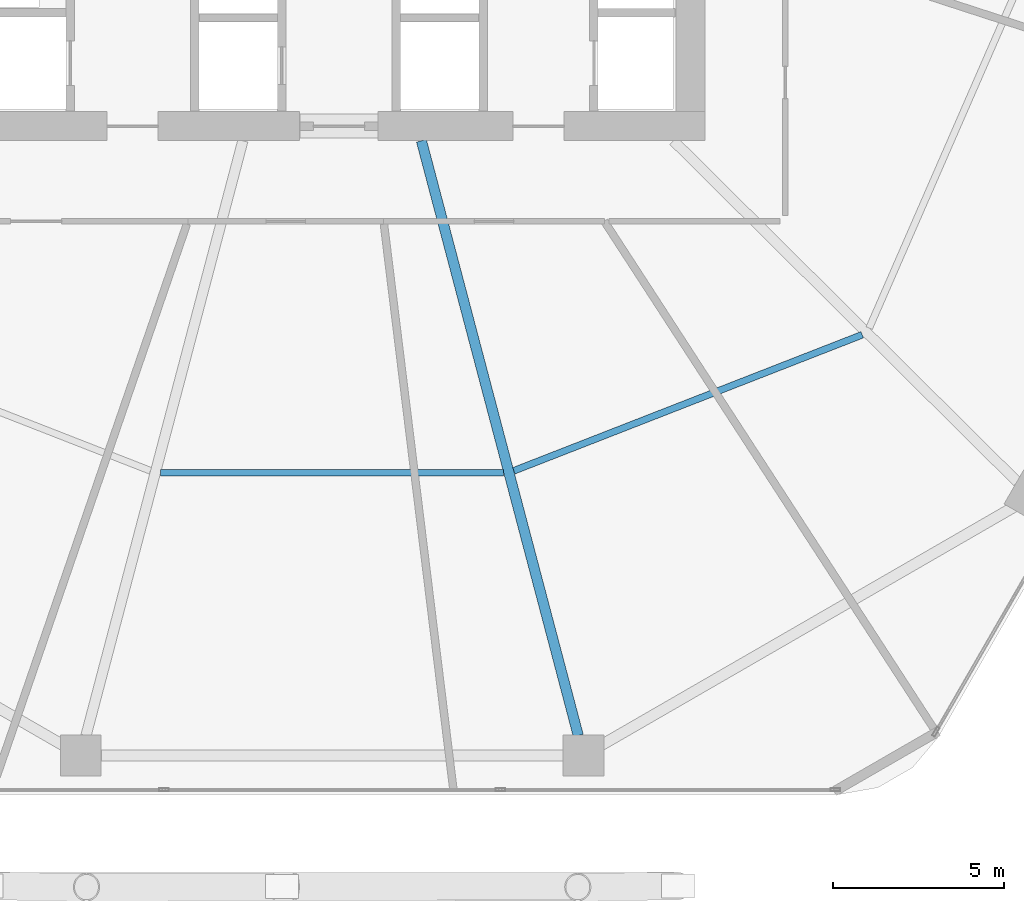
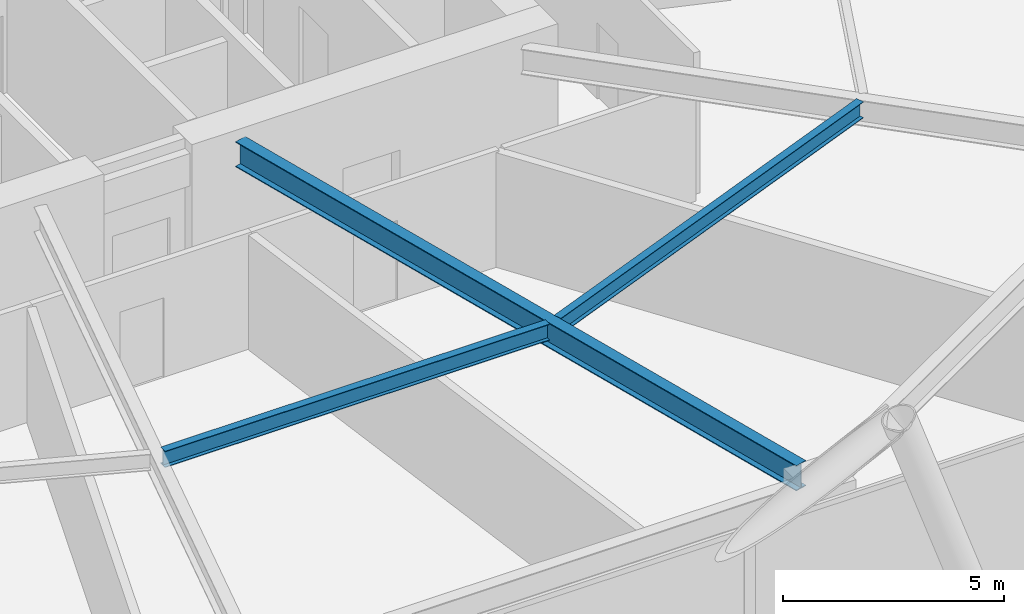
# One storey, part 8 of 28: 3 beams.
"""IFC4 building model written with IfcOpenShell, lengths in metres."""

from ifc_helpers import new_model, si_unit, direction, frame, origin, origin_2d, place, context, subcontext, project, spatial, i_section, extrude, material, material_profile, profile_set, type_object, element, save


model = new_model("IFC4")

# Units and contexts
model_context = context("Model", 3, precision=1e-05, world=origin(), true_north=direction((0.0, 1.0)))
body_context = subcontext(model_context, "Body", "Model", "MODEL_VIEW")
ifc_project = project(units=[si_unit("LENGTHUNIT", "METRE"), si_unit("AREAUNIT", "SQUARE_METRE"), si_unit("VOLUMEUNIT", "CUBIC_METRE"), si_unit("PLANEANGLEUNIT", "RADIAN"), si_unit("MASSUNIT", "GRAM", prefix="KILO")], contexts=[model_context])

# Site, building, storey
site_placement = place(None, origin())
site = spatial("IfcSite", under=ifc_project, at=site_placement, CompositionType="ELEMENT")
building_placement = place(site_placement, origin())
building = spatial("IfcBuilding", under=site, at=building_placement, Name="Zuhravey Tower", CompositionType="ELEMENT")
storey_placement = place(building_placement, frame((0.0, 0.0, 24.60009765625)))
storey = spatial("IfcBuildingStorey", under=building, at=storey_placement, Name="L06", CompositionType="ELEMENT", Elevation=24.60009765625)

# Beams
ifc_material = material(Name="Steel SM355", Category="steel")
ifc_material_profile_1 = material_profile(ifc_material, i_section(OverallWidth=0.300048828125, OverallDepth=0.699951171875, WebThickness=0.012939453125, FlangeThickness=0.02392578125, at=origin_2d()), Name="H-700x300x13x24")
ifc_profile_set_1 = profile_set([ifc_material_profile_1], Name="Steel SM355")
beam_type_1 = type_object("IfcBeamType", Name="Radial Primary Girder H700x300", PredefinedType="BEAM", material=ifc_profile_set_1)
beam_1_placement = place(storey_placement, frame((38.617919921875, 22.072021484375, 3.56982421875), z_axis=(0.254989720435, -0.966943763862, 0.0), x_axis=(0.966943763862, 0.254989720435, 0.0)))
element("IfcBeam", 1, at=beam_1_placement, inside=storey, type_object=beam_type_1, Name="L06 RG1 BM-L06-RAD-10", PredefinedType="BEAM", context=body_context, shape_type="SweptSolid", body=[
    extrude(i_section(OverallWidth=0.300048828125, OverallDepth=0.699951171875, WebThickness=0.012939453125, FlangeThickness=0.02392578125, at=origin_2d()), origin(), (0.0, 0.0, 1.0), 18.03369140625),
])
ifc_material_profile_2 = material_profile(ifc_material, i_section(OverallWidth=0.199951171875, OverallDepth=0.449951171875, WebThickness=0.009033203125, FlangeThickness=0.013916015625, at=origin_2d()), Name="H-450x200x9x14")
ifc_profile_set_2 = profile_set([ifc_material_profile_2], Name="Steel SM355")
beam_type_2 = type_object("IfcBeamType", Name="Secondary Floor Joist H450x200", PredefinedType="JOIST", material=ifc_profile_set_2)
beam_2_placement = place(storey_placement, frame((30.969970703125, 12.3408203125, 3.69482421875), z_axis=(1.0, 0.0, 0.0), x_axis=(0.0, 1.0, 0.0)))
element("IfcBeam", 2, at=beam_2_placement, inside=storey, type_object=beam_type_2, Name="L06 SJ1 BM-L06-SJ-09-1", PredefinedType="JOIST", context=body_context, shape_type="SweptSolid", body=[
    extrude(i_section(OverallWidth=0.199951171875, OverallDepth=0.449951171875, WebThickness=0.009033203125, FlangeThickness=0.013916015625, at=origin_2d()), origin(), (0.0, 0.0, 1.0), 10.06005859375),
])
beam_3_placement = place(storey_placement, frame((41.32763671875, 12.39697265625, 3.69482421875), z_axis=(0.931516535886, 0.363698973562, 0.0), x_axis=(-0.363698973562, 0.931516535886, 0.0)))
element("IfcBeam", 3, at=beam_3_placement, inside=storey, type_object=beam_type_2, Name="L06 SJ1 BM-L06-SJ-10-1", PredefinedType="JOIST", context=body_context, shape_type="SweptSolid", body=[
    extrude(i_section(OverallWidth=0.199951171875, OverallDepth=0.449951171875, WebThickness=0.009033203125, FlangeThickness=0.013916015625, at=origin_2d()), origin(), (0.0, 0.0, 1.0), 10.963134765625),
])

save(model, "model.ifc")
